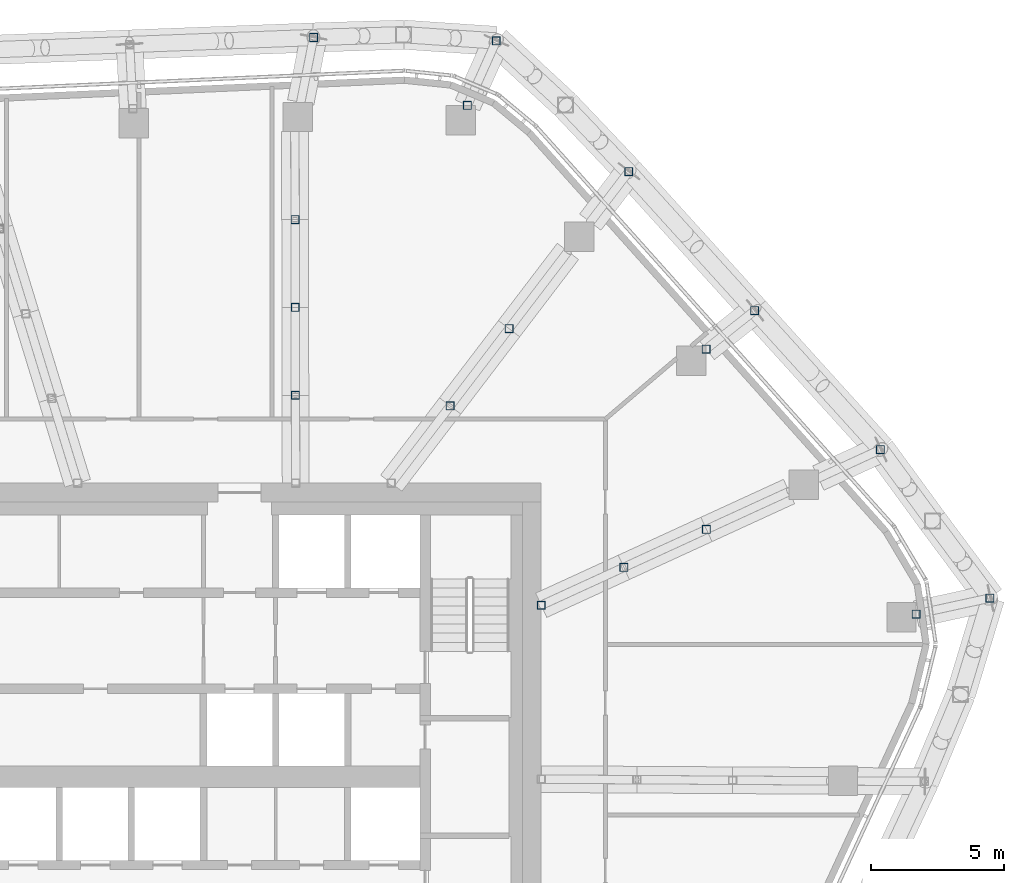
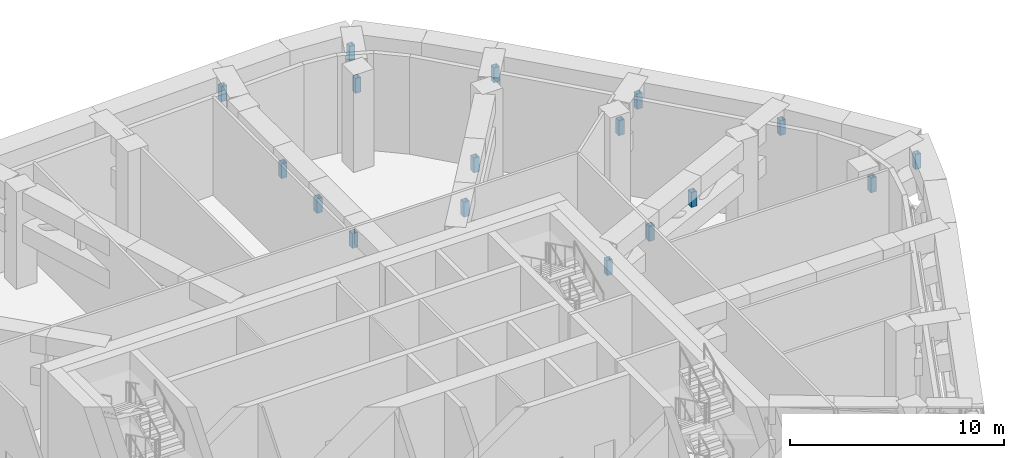
# One storey, part 14 of 31: 17 members.
"""IFC4 building model written with IfcOpenShell, lengths in metres."""

from ifc_helpers import new_model, si_unit, direction, frame, origin, origin_2d, place, context, subcontext, project, spatial, hollow_rectangle, extrude, material, material_profile, profile_set, type_object, element, save


model = new_model("IFC4")

# Units and contexts
model_context = context("Model", 3, precision=1e-05, world=origin(), true_north=direction((0.0, 1.0)))
body_context = subcontext(model_context, "Body", "Model", "MODEL_VIEW")
ifc_project = project(units=[si_unit("LENGTHUNIT", "METRE"), si_unit("AREAUNIT", "SQUARE_METRE"), si_unit("VOLUMEUNIT", "CUBIC_METRE"), si_unit("PLANEANGLEUNIT", "RADIAN"), si_unit("MASSUNIT", "GRAM", prefix="KILO")], contexts=[model_context])

# Site, building, storey
site_placement = place(None, origin())
site = spatial("IfcSite", under=ifc_project, at=site_placement, CompositionType="ELEMENT")
building_placement = place(site_placement, origin())
building = spatial("IfcBuilding", under=site, at=building_placement, Name="Dongbaek Canopy Tower", CompositionType="ELEMENT")
storey_placement = place(building_placement, frame((0.0, 0.0, 283.199951171875)))
storey = spatial("IfcBuildingStorey", under=building, at=storey_placement, Name="L60", CompositionType="ELEMENT", Elevation=283.199951171875)

# Members
ifc_material_1 = material(Name="Steel S355", Category="steel")
ifc_material_profile_1 = material_profile(ifc_material_1, hollow_rectangle(XDim=0.300048828125, YDim=0.300048828125, WallThickness=0.011962890625, at=origin_2d()), Name="OUTRIGGER POST SHS 300x300x12 Steel S355")
ifc_profile_set_1 = profile_set([ifc_material_profile_1], Name="Steel S355")
member_type_1 = type_object("IfcMemberType", Name="OUTRIGGER POST SHS 300x300x12 Steel S355", PredefinedType="POST", material=ifc_profile_set_1)
for number, where, z_axis, x_axis, name in (
    (1, (4.793701171875, 14.291015625, 3.699951171875), (0.0, 0.0, 1.0), (1.0, 0.0, 0.0), "TRUSS:L60:16:P1"),
    (2, (4.787109375, 17.58203125, 3.699951171875), (0.0, 0.0, 1.0), (1.0, 0.0, 0.0), "TRUSS:L60:16:P2"),
    (3, (4.78076171875, 20.873046875, 3.699951171875), (0.0, 0.0, 1.0), (1.0, 0.0, 0.0), "TRUSS:L60:16:P3"),
    (4, (5.471435546875, 27.69189453125, 3.699951171875), (0.0, 0.0, 1.0), (1.0, 0.0, 0.0), "TRUSS:L60:16s:P1"),
    (5, (10.5888671875, 13.89306640625, 3.699951171875), (0.0, 0.0, 1.0), (1.0, 0.0, 0.0), "TRUSS:L60:18:P1"),
    (6, (12.793701171875, 16.785888671875, 3.699951171875), (0.0, 0.0, 1.0), (1.0, 0.0, 0.0), "TRUSS:L60:18:P2"),
    (7, (17.275634765625, 22.666259765625, 3.699951171875), (0.0, 0.0, 1.0), (1.0, 0.0, 0.0), "TRUSS:L60:18s:P1"),
    (8, (14.0, 6.42626953125, 3.699951171875), (0.0, 0.0, 1.0), (1.0, 0.0, 0.0), "TRUSS:L60:20:P0"),
    (9, (17.09375, 7.846435546875, 3.699951171875), (0.0, 0.0, 1.0), (1.0, 0.0, 0.0), "TRUSS:L60:20:P1"),
    (10, (20.187255859375, 9.2666015625, 3.699951171875), (0.0, 0.0, 1.0), (1.0, 0.0, 0.0), "TRUSS:L60:20:P2"),
    (11, (26.702880859375, 12.25732421875, 3.699951171875), (0.0, 0.0, 1.0), (1.0, 0.0, 0.0), "TRUSS:L60:20s:P1"),
):
    element("IfcMember", number, at=place(storey_placement, frame(where, z_axis=z_axis, x_axis=x_axis)), inside=storey, type_object=member_type_1, Name=name, PredefinedType="POST", context=body_context, shape_type="SweptSolid", body=[
        extrude(hollow_rectangle(XDim=0.300048828125, YDim=0.300048828125, WallThickness=0.011962890625, at=origin_2d()), origin(), (0.0, 0.0, 1.0), 0.85009765625),
    ])
ifc_material_2 = material(Name="Steel S355", Category="steel")
ifc_material_profile_2 = material_profile(ifc_material_2, hollow_rectangle(XDim=0.300048828125, YDim=0.300048828125, WallThickness=0.011962890625, at=origin_2d()), Name="POST SHS 300x300x12 Steel S355")
ifc_profile_set_2 = profile_set([ifc_material_profile_2], Name="Steel S355")
member_type_2 = type_object("IfcMemberType", Name="POST SHS 300x300x12 Steel S355", PredefinedType="POST", material=ifc_profile_set_2)
for number, where, z_axis, x_axis, name in (
    (12, (11.235595703125, 25.14892578125, 3.699951171875), (0.0, 0.0, 1.0), (1.0, 0.0, 0.0), "TRUSS:L60:17:P0"),
    (13, (12.314208984375, 27.56298828125, 3.699951171875), (0.0, 0.0, 1.0), (1.0, 0.0, 0.0), "TRUSS:L60:17:P1"),
    (14, (20.175048828125, 16.020751953125, 3.699951171875), (0.0, 0.0, 1.0), (1.0, 0.0, 0.0), "TRUSS:L60:19:P0"),
    (15, (21.989990234375, 17.4619140625, 3.699951171875), (0.0, 0.0, 1.0), (1.0, 0.0, 0.0), "TRUSS:L60:19:P1"),
    (16, (28.0419921875, 6.0966796875, 3.699951171875), (0.0, 0.0, 1.0), (1.0, 0.0, 0.0), "TRUSS:L60:21:P0"),
    (17, (30.80517578125, 6.697265625, 3.699951171875), (0.0, 0.0, 1.0), (1.0, 0.0, 0.0), "TRUSS:L60:21:P1"),
):
    element("IfcMember", number, at=place(storey_placement, frame(where, z_axis=z_axis, x_axis=x_axis)), inside=storey, type_object=member_type_2, Name=name, PredefinedType="POST", context=body_context, shape_type="SweptSolid", body=[
        extrude(hollow_rectangle(XDim=0.300048828125, YDim=0.300048828125, WallThickness=0.011962890625, at=origin_2d()), origin(), (0.0, 0.0, 1.0), 0.85009765625),
    ])

save(model, "model.ifc")
